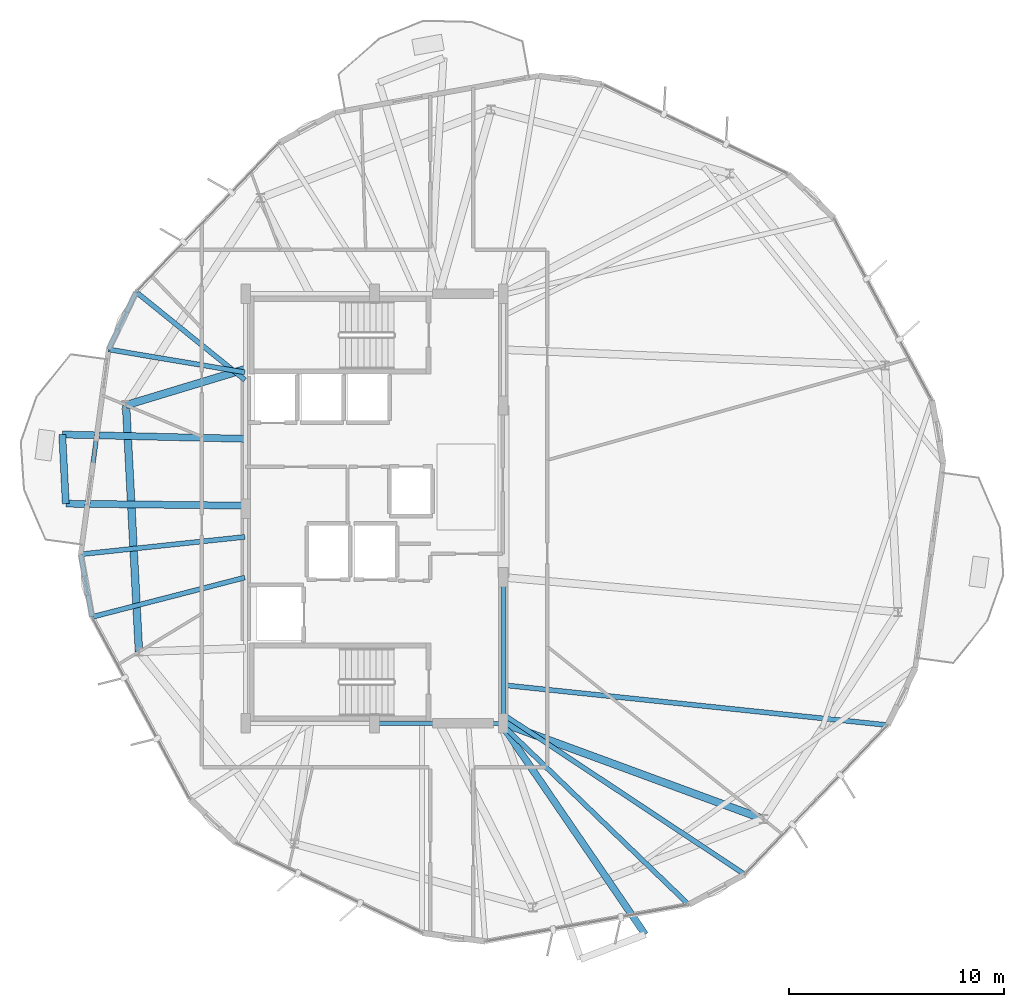
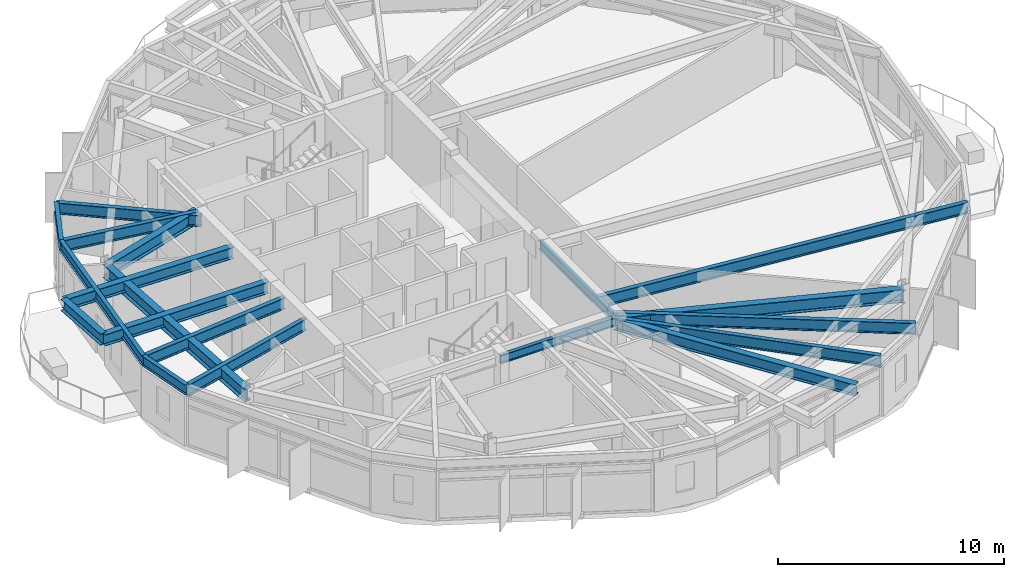
# One storey, part 8 of 27: 19 beams.
"""IFC4 building model written with IfcOpenShell, lengths in metres."""

from ifc_helpers import new_model, si_unit, direction, frame, origin, origin_2d, place, context, subcontext, project, spatial, i_section, extrude, material, material_profile, profile_set, type_object, element, save


model = new_model("IFC4")

# Units and contexts
model_context = context("Model", 3, precision=1e-05, world=origin(), true_north=direction((0.0, 1.0)))
body_context = subcontext(model_context, "Body", "Model", "MODEL_VIEW")
ifc_project = project(units=[si_unit("LENGTHUNIT", "METRE"), si_unit("AREAUNIT", "SQUARE_METRE"), si_unit("VOLUMEUNIT", "CUBIC_METRE"), si_unit("PLANEANGLEUNIT", "RADIAN"), si_unit("MASSUNIT", "GRAM", prefix="KILO")], contexts=[model_context])

# Site, building, storey
site_placement = place(None, origin())
site = spatial("IfcSite", under=ifc_project, at=site_placement, CompositionType="ELEMENT")
building_placement = place(site_placement, origin())
building = spatial("IfcBuilding", under=site, at=building_placement, Name="Soratama Intermodal Tower", CompositionType="ELEMENT")
storey_placement = place(building_placement, frame((0.0, 0.0, 208.60009765625)))
storey = spatial("IfcBuildingStorey", under=building, at=storey_placement, Name="L52", CompositionType="ELEMENT", Elevation=208.60009765625)

# Beams
ifc_material_1 = material(Name="Structural steel ASTM A992 Grade 50", Category="steel")
ifc_material_profile_1 = material_profile(ifc_material_1, i_section(OverallWidth=0.324951171875, OverallDepth=0.615966796875, WebThickness=0.013916015625, FlangeThickness=0.021484375, FilletRadius=0.013916015625, at=origin_2d()), Name="W24X117")
ifc_profile_set_1 = profile_set([ifc_material_profile_1], Name="Structural steel ASTM A992 Grade 50")
beam_type_1 = type_object("IfcBeamType", Name="BM-CANT-W24X117", PredefinedType="BEAM", material=ifc_profile_set_1)
beam_1_placement = place(storey_placement, frame((24.06396484375, 28.448974609375, 2.991943359375), z_axis=(0.051187641224, -0.998689053402, 0.0), x_axis=(0.998689053402, 0.051187641224, 0.0)))
element("IfcBeam", 1, at=beam_1_placement, inside=storey, type_object=beam_type_1, Name="BM-L52-CBHDR-2", PredefinedType="BEAM", context=body_context, shape_type="SweptSolid", body=[
    extrude(i_section(OverallWidth=0.324951171875, OverallDepth=0.615966796875, WebThickness=0.013916015625, FlangeThickness=0.021484375, FilletRadius=0.013916015625, at=origin_2d()), origin(), (0.0, 0.0, 1.0), 3.22412109375),
])
beam_2_placement = place(storey_placement, frame((32.56005859375, 28.248046875, 2.991943359375), z_axis=(-0.999720469591, 0.023642814554, 0.0), x_axis=(-0.023642814554, -0.999720469591, 0.0)))
element("IfcBeam", 2, at=beam_2_placement, inside=storey, type_object=beam_type_1, Name="BM-L52-CANT-2-1", PredefinedType="BEAM", context=body_context, shape_type="SweptSolid", body=[
    extrude(i_section(OverallWidth=0.324951171875, OverallDepth=0.615966796875, WebThickness=0.013916015625, FlangeThickness=0.021484375, FilletRadius=0.013916015625, at=origin_2d()), origin(), (0.0, 0.0, 1.0), 8.49853515625),
])
beam_3_placement = place(storey_placement, frame((32.56005859375, 25.136962890625, 2.991943359375), z_axis=(-0.999938977066, 0.011047268619, 0.0), x_axis=(-0.011047268619, -0.999938977066, 0.0)))
element("IfcBeam", 3, at=beam_3_placement, inside=storey, type_object=beam_type_1, Name="BM-L52-CANT-2-2", PredefinedType="BEAM", context=body_context, shape_type="SweptSolid", body=[
    extrude(i_section(OverallWidth=0.324951171875, OverallDepth=0.615966796875, WebThickness=0.013916015625, FlangeThickness=0.021484375, FilletRadius=0.013916015625, at=origin_2d()), origin(), (0.0, 0.0, 1.0), 8.33154296875),
])
beam_4_placement = place(storey_placement, frame((44.50390625, 14.967041015625, 2.991943359375), z_axis=(0.564486928985, -0.825442007052, 0.0), x_axis=(0.825442007052, 0.564486928985, 0.0)))
element("IfcBeam", 4, at=beam_4_placement, inside=storey, type_object=beam_type_1, Name="BM-L52-CANT-3-2", PredefinedType="BEAM", context=body_context, shape_type="SweptSolid", body=[
    extrude(i_section(OverallWidth=0.324951171875, OverallDepth=0.615966796875, WebThickness=0.013916015625, FlangeThickness=0.021484375, FilletRadius=0.013916015625, at=origin_2d()), origin(), (0.0, 0.0, 1.0), 11.864013671875),
])
ifc_material_2 = material(Name="Structural steel ASTM A992 Grade 50", Category="steel")
ifc_material_profile_2 = material_profile(ifc_material_2, i_section(OverallWidth=0.19091796875, OverallDepth=0.4599609375, WebThickness=0.010009765625, FlangeThickness=0.01611328125, FilletRadius=0.010986328125, at=origin_2d()), Name="W18X55")
ifc_profile_set_2 = profile_set([ifc_material_profile_2], Name="Structural steel ASTM A992 Grade 50")
beam_type_2 = type_object("IfcBeamType", Name="BM-FLR-W18X55", PredefinedType="BEAM", material=ifc_profile_set_2)
beam_5_placement = place(storey_placement, frame((38.60009765625, 15.0, 3.06982421875), z_axis=(1.0, 0.0, 0.0), x_axis=(0.0, 1.0, 0.0)))
element("IfcBeam", 5, at=beam_5_placement, inside=storey, type_object=beam_type_2, Name="BM-L52-CRING-02", PredefinedType="BEAM", context=body_context, shape_type="SweptSolid", body=[
    extrude(i_section(OverallWidth=0.19091796875, OverallDepth=0.4599609375, WebThickness=0.010009765625, FlangeThickness=0.01611328125, FilletRadius=0.010986328125, at=origin_2d()), origin(), (0.0, 0.0, 1.0), 6.0),
])
beam_6_placement = place(storey_placement, frame((44.60009765625, 15.0, 3.06982421875), z_axis=(0.0, 1.0, 0.0), x_axis=(-1.0, 0.0, 0.0)))
element("IfcBeam", 6, at=beam_6_placement, inside=storey, type_object=beam_type_2, Name="BM-L52-CRING-03", PredefinedType="BEAM", context=body_context, shape_type="SweptSolid", body=[
    extrude(i_section(OverallWidth=0.19091796875, OverallDepth=0.4599609375, WebThickness=0.010009765625, FlangeThickness=0.01611328125, FilletRadius=0.010986328125, at=origin_2d()), origin(), (0.0, 0.0, 1.0), 6.800048828125),
])
ifc_material_3 = material(Name="Structural steel ASTM A992 Grade 50", Category="steel")
ifc_material_profile_3 = material_profile(ifc_material_3, i_section(OverallWidth=0.35498046875, OverallDepth=0.695068359375, WebThickness=0.015380859375, FlangeThickness=0.02490234375, FilletRadius=0.01611328125, at=origin_2d()), Name="W27X146")
ifc_profile_set_3 = profile_set([ifc_material_profile_3], Name="Structural steel ASTM A992 Grade 50")
beam_type_3 = type_object("IfcBeamType", Name="BM-RING-W27X146", PredefinedType="BEAM", material=ifc_profile_set_3)
beam_7_placement = place(storey_placement, frame((27.033935546875, 29.81396484375, 2.952392578125), z_axis=(0.052286849724, -0.998632107108, 0.0), x_axis=(0.998632107108, 0.052286849724, 0.0)))
element("IfcBeam", 7, at=beam_7_placement, inside=storey, type_object=beam_type_3, Name="BM-L52-RING-05", PredefinedType="BEAM", context=body_context, shape_type="SweptSolid", body=[
    extrude(i_section(OverallWidth=0.35498046875, OverallDepth=0.695068359375, WebThickness=0.015380859375, FlangeThickness=0.02490234375, FilletRadius=0.01611328125, at=origin_2d()), origin(), (0.0, 0.0, 1.0), 11.49560546875),
])
beam_8_placement = place(storey_placement, frame((32.60009765625, 31.5, 2.952392578125), z_axis=(-0.957056879321, -0.289900206526, 0.0), x_axis=(0.289900206526, -0.957056879321, 0.0)))
element("IfcBeam", 8, at=beam_8_placement, inside=storey, type_object=beam_type_3, Name="BM-L52-RAD-05", PredefinedType="BEAM", context=body_context, shape_type="SweptSolid", body=[
    extrude(i_section(OverallWidth=0.35498046875, OverallDepth=0.695068359375, WebThickness=0.015380859375, FlangeThickness=0.02490234375, FilletRadius=0.01611328125, at=origin_2d()), origin(), (0.0, 0.0, 1.0), 5.81591796875),
])
beam_9_placement = place(storey_placement, frame((44.60009765625, 15.0, 2.952392578125), z_axis=(0.938460043872, -0.345387819785, 0.0), x_axis=(0.345387819785, 0.938460043872, 0.0)))
element("IfcBeam", 9, at=beam_9_placement, inside=storey, type_object=beam_type_3, Name="BM-L52-RAD-09", PredefinedType="BEAM", context=body_context, shape_type="SweptSolid", body=[
    extrude(i_section(OverallWidth=0.35498046875, OverallDepth=0.695068359375, WebThickness=0.015380859375, FlangeThickness=0.02490234375, FilletRadius=0.01611328125, at=origin_2d()), origin(), (0.0, 0.0, 1.0), 12.898681640625),
])
ifc_material_4 = material(Name="Structural steel ASTM A992 Grade 50", Category="steel")
ifc_material_profile_4 = material_profile(ifc_material_4, i_section(OverallWidth=0.2099609375, OverallDepth=0.537109375, WebThickness=0.010986328125, FlangeThickness=0.017333984375, FilletRadius=0.012939453125, at=origin_2d()), Name="W21X68")
ifc_profile_set_4 = profile_set([ifc_material_profile_4], Name="Structural steel ASTM A992 Grade 50")
beam_type_4 = type_object("IfcBeamType", Name="BM-SPN-W21X68", PredefinedType="SPANDREL", material=ifc_profile_set_4)
beam_10_placement = place(storey_placement, frame((27.5048828125, 35.0810546875, 3.031494140625), z_axis=(-0.434162040118, -0.900834792246, 0.0), x_axis=(0.900834792246, -0.434162040118, 0.0)))
element("IfcBeam", 10, at=beam_10_placement, inside=storey, type_object=beam_type_4, Name="BS-L52-CRN03", PredefinedType="SPANDREL", context=body_context, shape_type="SweptSolid", body=[
    extrude(i_section(OverallWidth=0.2099609375, OverallDepth=0.537109375, WebThickness=0.010986328125, FlangeThickness=0.017333984375, FilletRadius=0.012939453125, at=origin_2d()), origin(), (0.0, 0.0, 1.0), 2.96630859375),
])
beam_11_placement = place(storey_placement, frame((26.217041015625, 32.408935546875, 3.031494140625), z_axis=(-0.134684131426, -0.990888583415, 0.0), x_axis=(0.990888583415, -0.134684131426, 0.0)))
element("IfcBeam", 11, at=beam_11_placement, inside=storey, type_object=beam_type_4, Name="BS-L52-F04", PredefinedType="SPANDREL", context=body_context, shape_type="SweptSolid", body=[
    extrude(i_section(OverallWidth=0.2099609375, OverallDepth=0.537109375, WebThickness=0.010986328125, FlangeThickness=0.017333984375, FilletRadius=0.012939453125, at=origin_2d()), origin(), (0.0, 0.0, 1.0), 9.62353515625),
])
beam_12_placement = place(storey_placement, frame((24.9208984375, 22.873046875, 3.031494140625), z_axis=(0.17802348241, -0.984026239341, 0.0), x_axis=(0.984026239341, 0.17802348241, 0.0)))
element("IfcBeam", 12, at=beam_12_placement, inside=storey, type_object=beam_type_4, Name="BS-L52-CRN04", PredefinedType="SPANDREL", context=body_context, shape_type="SweptSolid", body=[
    extrude(i_section(OverallWidth=0.2099609375, OverallDepth=0.537109375, WebThickness=0.010986328125, FlangeThickness=0.017333984375, FilletRadius=0.012939453125, at=origin_2d()), origin(), (0.0, 0.0, 1.0), 2.96630859375),
])
ifc_material_5 = material(Name="Structural steel ASTM A992 Grade 50", Category="steel")
ifc_material_profile_5 = material_profile(ifc_material_5, i_section(OverallWidth=0.22900390625, OverallDepth=0.612060546875, WebThickness=0.011962890625, FlangeThickness=0.01953125, FilletRadius=0.012939453125, at=origin_2d()), Name="W24X84")
ifc_profile_set_5 = profile_set([ifc_material_profile_5], Name="Structural steel ASTM A992 Grade 50")
beam_type_5 = type_object("IfcBeamType", Name="BM-TIE-W24X84", PredefinedType="BEAM", material=ifc_profile_set_5)
beam_13_placement = place(storey_placement, frame((32.569091796875, 30.988037109375, 2.993896484375), z_axis=(-0.777738833195, 0.628587549463, 0.0), x_axis=(-0.628587549463, -0.777738833195, 0.0)))
element("IfcBeam", 13, at=beam_13_placement, inside=storey, type_object=beam_type_5, Name="BM-L52-TIE1-03", PredefinedType="BEAM", context=body_context, shape_type="SweptSolid", body=[
    extrude(i_section(OverallWidth=0.22900390625, OverallDepth=0.612060546875, WebThickness=0.011962890625, FlangeThickness=0.01953125, FilletRadius=0.012939453125, at=origin_2d()), origin(), (0.0, 0.0, 1.0), 6.511474609375),
])
beam_14_placement = place(storey_placement, frame((32.56103515625, 31.344970703125, 2.993896484375), z_axis=(-0.986226212358, 0.165402110197, 0.0), x_axis=(-0.165402110197, -0.986226212358, 0.0)))
element("IfcBeam", 14, at=beam_14_placement, inside=storey, type_object=beam_type_5, Name="BM-L52-TIE0-04", PredefinedType="BEAM", context=body_context, shape_type="SweptSolid", body=[
    extrude(i_section(OverallWidth=0.22900390625, OverallDepth=0.612060546875, WebThickness=0.011962890625, FlangeThickness=0.01953125, FilletRadius=0.012939453125, at=origin_2d()), origin(), (0.0, 0.0, 1.0), 6.4326171875),
])
beam_15_placement = place(storey_placement, frame((32.56005859375, 23.681884765625, 2.993896484375), z_axis=(-0.994441356408, -0.105291921182, 0.0), x_axis=(0.105291921182, -0.994441356408, 0.0)))
element("IfcBeam", 15, at=beam_15_placement, inside=storey, type_object=beam_type_5, Name="BM-L52-TIE1-04", PredefinedType="BEAM", context=body_context, shape_type="SweptSolid", body=[
    extrude(i_section(OverallWidth=0.22900390625, OverallDepth=0.612060546875, WebThickness=0.011962890625, FlangeThickness=0.01953125, FilletRadius=0.012939453125, at=origin_2d()), origin(), (0.0, 0.0, 1.0), 7.681884765625),
])
beam_16_placement = place(storey_placement, frame((32.56103515625, 21.7890625, 2.993896484375), z_axis=(-0.968290812545, -0.249825743953, 0.0), x_axis=(0.249825743953, -0.968290812545, 0.0)))
element("IfcBeam", 16, at=beam_16_placement, inside=storey, type_object=beam_type_5, Name="BM-L52-TIE0-05", PredefinedType="BEAM", context=body_context, shape_type="SweptSolid", body=[
    extrude(i_section(OverallWidth=0.22900390625, OverallDepth=0.612060546875, WebThickness=0.011962890625, FlangeThickness=0.01953125, FilletRadius=0.012939453125, at=origin_2d()), origin(), (0.0, 0.0, 1.0), 7.344970703125),
])
beam_17_placement = place(storey_placement, frame((44.5029296875, 14.971923828125, 2.993896484375), z_axis=(0.719951417573, -0.694024463787, 0.0), x_axis=(0.694024463787, 0.719951417573, 0.0)))
element("IfcBeam", 17, at=beam_17_placement, inside=storey, type_object=beam_type_5, Name="BM-L52-TIE1-07", PredefinedType="BEAM", context=body_context, shape_type="SweptSolid", body=[
    extrude(i_section(OverallWidth=0.22900390625, OverallDepth=0.612060546875, WebThickness=0.011962890625, FlangeThickness=0.01953125, FilletRadius=0.012939453125, at=origin_2d()), origin(), (0.0, 0.0, 1.0), 12.118896484375),
])
beam_18_placement = place(storey_placement, frame((44.633056640625, 15.39111328125, 2.993896484375), z_axis=(0.833625327807, -0.552330347563, 0.0), x_axis=(0.552330347563, 0.833625327807, 0.0)))
element("IfcBeam", 18, at=beam_18_placement, inside=storey, type_object=beam_type_5, Name="BM-L52-TIE0-08", PredefinedType="BEAM", context=body_context, shape_type="SweptSolid", body=[
    extrude(i_section(OverallWidth=0.22900390625, OverallDepth=0.612060546875, WebThickness=0.011962890625, FlangeThickness=0.01953125, FilletRadius=0.012939453125, at=origin_2d()), origin(), (0.0, 0.0, 1.0), 13.44482421875),
])
beam_19_placement = place(storey_placement, frame((44.639892578125, 16.780029296875, 2.993896484375), z_axis=(0.994611720852, -0.103670269338, 0.0), x_axis=(0.103670269338, 0.994611720852, 0.0)))
element("IfcBeam", 19, at=beam_19_placement, inside=storey, type_object=beam_type_5, Name="BM-L52-TIE1-08", PredefinedType="BEAM", context=body_context, shape_type="SweptSolid", body=[
    extrude(i_section(OverallWidth=0.22900390625, OverallDepth=0.612060546875, WebThickness=0.011962890625, FlangeThickness=0.01953125, FilletRadius=0.012939453125, at=origin_2d()), origin(), (0.0, 0.0, 1.0), 17.951904296875),
])

save(model, "model.ifc")
